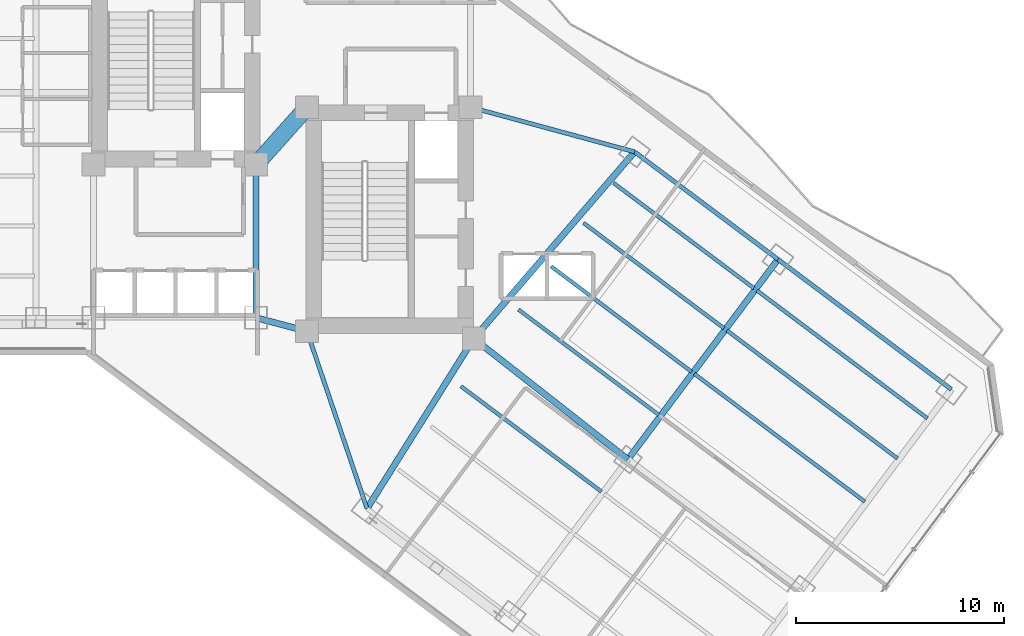
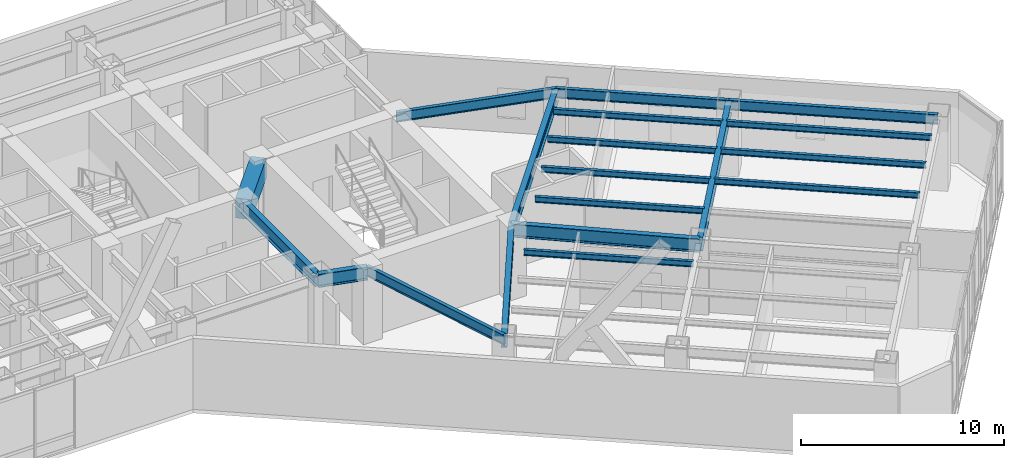
# One storey, part 9 of 29: 19 beams.
"""IFC4 building model written with IfcOpenShell, lengths in metres."""

import ifcopenshell
import ifcopenshell.guid

model = None  # the IFC model being written
_history = None  # IfcOwnerHistory: only IFC2X3 demands one
_inside = {}  # id of a spatial element -> (the spatial element, [elements in it])
_under = {}  # id of a project, library or spatial element -> (it, [spatial elements below it])
_declared = {}  # id of a project -> (the project, [libraries it declares])
_typed = {}  # id of a type object -> (the type object, [elements of that type])
_made_of = {}  # id of a material, layer set ... -> (it, [elements and type objects made of it])


def new_model(schema):
    """Start an empty IFC model of exactly this schema.

    Asked for "IFC4X3", IfcOpenShell would pick the latest addendum, in which some entities
    have other attributes; the version numbers below select the first issue.
    IFC2X3 requires an IfcOwnerHistory on every rooted entity: one is made here for all.
    """
    global model, _history
    if schema == "IFC4X3":
        model = ifcopenshell.file(schema_version=(4, 3, 0, 0))
    else:
        model = ifcopenshell.file(schema=schema)
    _inside.clear()
    _under.clear()
    _declared.clear()
    _typed.clear()
    _made_of.clear()
    _history = None
    if model.schema == "IFC2X3":
        org = make("IfcOrganization", Name="unknown")
        user = make(
            "IfcPersonAndOrganization",
            ThePerson=make("IfcPerson", FamilyName="unknown"),
            TheOrganization=org,
        )
        app = make(
            "IfcApplication",
            ApplicationDeveloper=org,
            Version="unknown",
            ApplicationFullName="unknown",
            ApplicationIdentifier="unknown",
        )
        _history = make(
            "IfcOwnerHistory",
            OwningUser=user,
            OwningApplication=app,
            ChangeAction="ADDED",
            CreationDate=0,
        )
    return model


def make(cls, **values):
    """One entity of the class cls with the attributes given. An attribute that is None is left unset."""
    return model.create_entity(
        cls, **{name: value for name, value in values.items() if value is not None}
    )


def rooted(cls, **values):
    """An entity with a GlobalId (a new one), such as an element, a storey or a relation."""
    return make(cls, GlobalId=ifcopenshell.guid.new(), OwnerHistory=_history, **values)


def si_unit(unit_type, name, prefix=None):
    """IfcSIUnit, for example si_unit("LENGTHUNIT", "METRE", prefix="MILLI")."""
    return make("IfcSIUnit", UnitType=unit_type, Prefix=prefix, Name=name)


def assignment(units):
    """IfcUnitAssignment: the units of a project."""
    return None if units is None else make("IfcUnitAssignment", Units=units)


def point(xyz):
    """IfcCartesianPoint."""
    return None if xyz is None else make("IfcCartesianPoint", Coordinates=xyz)


def direction(xyz):
    """IfcDirection."""
    return None if xyz is None else make("IfcDirection", DirectionRatios=xyz)


def frame(location, z_axis=None, x_axis=None):
    """IfcAxis2Placement3D, a coordinate frame: its origin and axes. An axis left out is left unset."""
    return make(
        "IfcAxis2Placement3D",
        Location=point(location),
        Axis=direction(z_axis),
        RefDirection=direction(x_axis),
    )


def frame_2d(location, x_axis=None):
    """IfcAxis2Placement2D, a coordinate frame in the plane: its origin and x axis."""
    return make(
        "IfcAxis2Placement2D", Location=point(location), RefDirection=direction(x_axis)
    )


def origin():
    """The frame at (0, 0, 0) with its axes left unset."""
    return frame((0.0, 0.0, 0.0))


def origin_2d():
    """The frame at (0, 0) in the plane with its x axis left unset."""
    return frame_2d((0.0, 0.0))


def place(relative_to, where):
    """IfcLocalPlacement: puts the frame where relative to a parent placement (None: the world)."""
    return make(
        "IfcLocalPlacement", PlacementRelTo=relative_to, RelativePlacement=where
    )


def context(
    kind, dimensions, precision=None, world=None, true_north=None, identifier=None
):
    """IfcGeometricRepresentationContext, for example the 3D "Model" context."""
    return make(
        "IfcGeometricRepresentationContext",
        ContextIdentifier=identifier,
        ContextType=kind,
        CoordinateSpaceDimension=dimensions,
        Precision=precision,
        WorldCoordinateSystem=world,
        TrueNorth=true_north,
    )


def subcontext(parent, identifier, kind, view, scale=None):
    """IfcGeometricRepresentationSubContext, for example "Body" below "Model"."""
    return make(
        "IfcGeometricRepresentationSubContext",
        ContextIdentifier=identifier,
        ContextType=kind,
        ParentContext=parent,
        TargetScale=scale,
        TargetView=view,
    )


def project(units=None, contexts=None):
    """IfcProject with its units and contexts."""
    return rooted(
        "IfcProject",
        Name="project",
        RepresentationContexts=contexts,
        UnitsInContext=assignment(units),
    )


def spatial(cls, under=None, at=None, **own):
    """A site, building, storey or space (cls), placed at a placement, below another one or the project."""
    s = rooted(cls, ObjectPlacement=at, **own)
    if under is not None:
        _under.setdefault(under.id(), (under, []))[1].append(s)
    return s


def profile(cls, at=None, kind="AREA", **sizes):
    """A parametric profile (cls). Its sizes go by their IFC names, for example OverallWidth=200.0."""
    return make(cls, ProfileType=kind, Position=at, **sizes)


def rectangle(**sizes):
    """IfcRectangleProfileDef."""
    return profile("IfcRectangleProfileDef", **sizes)


def i_section(**sizes):
    """IfcIShapeProfileDef."""
    return profile("IfcIShapeProfileDef", **sizes)


def extrude(swept, where, along, depth):
    """IfcExtrudedAreaSolid: the profile swept, set in the frame where, extruded along a direction by depth."""
    return make(
        "IfcExtrudedAreaSolid",
        SweptArea=swept,
        Position=where,
        ExtrudedDirection=direction(along),
        Depth=depth,
    )


def shape(context_of_items, identifier, shape_type, items):
    """IfcShapeRepresentation: the items that make up one representation, for example the "Body"."""
    return make(
        "IfcShapeRepresentation",
        ContextOfItems=context_of_items,
        RepresentationIdentifier=identifier,
        RepresentationType=shape_type,
        Items=items,
    )


def material(Name=None, Category=None):
    """IfcMaterial."""
    return make("IfcMaterial", Name=Name, Category=Category)


def material_profile(
    of_material, cross_section, Name=None, Category=None, Priority=None
):
    """IfcMaterialProfile: a cross section and its material."""
    return make(
        "IfcMaterialProfile",
        Name=Name,
        Material=of_material,
        Profile=cross_section,
        Priority=Priority,
        Category=Category,
    )


def profile_set(profiles, Name=None, composite=None):
    """IfcMaterialProfileSet."""
    return make(
        "IfcMaterialProfileSet",
        Name=Name,
        MaterialProfiles=profiles,
        CompositeProfile=composite,
    )


def made_of(thing, what):
    """Note that an element or type object is made of a material, layer set ...; save() writes the relation."""
    if what is not None:
        _made_of.setdefault(what.id(), (what, []))[1].append(thing)
    return thing


def type_object(cls, material=None, **own):
    """A type object (cls), such as IfcWallType, which elements share."""
    return made_of(rooted(cls, **own), material)


def element(
    cls,
    number,
    at=None,
    inside=None,
    cuts=None,
    type_object=None,
    material=None,
    context=None,
    identifier="Body",
    shape_type=None,
    held_by="IfcProductDefinitionShape",
    body=None,
    shapes=None,
    **own,
):
    """One element of the class cls, such as IfcWall. Its Tag is "e" and its number.

    at: its placement. inside: the storey or other place that contains it. cuts: it is an
    opening in that element (IfcRelVoidsElement). A single representation is given by context,
    identifier, shape_type and body (its items); several are given by shapes. held_by: the class
    of the entity that holds the representations. save() writes the other relations.
    """
    e = rooted(cls, Tag="e%d" % number, ObjectPlacement=at, **own)
    if body is not None:
        shapes = [shape(context, identifier, shape_type, body)]
    if shapes is not None:
        e.Representation = make(held_by, Representations=shapes)
    if inside is not None:
        _inside.setdefault(inside.id(), (inside, []))[1].append(e)
    if cuts is not None:
        rooted(
            "IfcRelVoidsElement", RelatingBuildingElement=cuts, RelatedOpeningElement=e
        )
    if type_object is not None:
        _typed.setdefault(type_object.id(), (type_object, []))[1].append(e)
    return made_of(e, material)


def aggregate(whole, parts):
    """IfcRelAggregates: a whole, such as a stair, and the parts it consists of."""
    return rooted("IfcRelAggregates", RelatingObject=whole, RelatedObjects=parts)


def save(model, path):
    """Write the relations noted so far, then the file.

    IfcRelAggregates (storeys below a building ...), IfcRelContainedInSpatialStructure (elements
    in a storey), IfcRelDefinesByType, IfcRelAssociatesMaterial and IfcRelDeclares: one each for
    every whole, place, type object, material and project.
    """
    for whole, parts in _under.values():
        aggregate(whole, parts)
    for where, things in _inside.values():
        rooted(
            "IfcRelContainedInSpatialStructure",
            RelatedElements=things,
            RelatingStructure=where,
        )
    for kind, things in _typed.values():
        rooted("IfcRelDefinesByType", RelatedObjects=things, RelatingType=kind)
    for what, things in _made_of.values():
        rooted("IfcRelAssociatesMaterial", RelatedObjects=things, RelatingMaterial=what)
    for by, libraries in _declared.values():
        rooted("IfcRelDeclares", RelatingContext=by, RelatedDefinitions=libraries)
    model.write(path)


model = new_model("IFC4")

# Units and contexts
model_context = context("Model", 3, precision=1e-05, world=origin(), true_north=direction((0.0, 1.0)))
body_context = subcontext(model_context, "Body", "Model", "MODEL_VIEW")
ifc_project = project(units=[si_unit("LENGTHUNIT", "METRE"), si_unit("AREAUNIT", "SQUARE_METRE"), si_unit("VOLUMEUNIT", "CUBIC_METRE"), si_unit("PLANEANGLEUNIT", "RADIAN"), si_unit("MASSUNIT", "GRAM", prefix="KILO")], contexts=[model_context])

# Site, building, storey
site_placement = place(None, origin())
site = spatial("IfcSite", under=ifc_project, at=site_placement, CompositionType="ELEMENT")
building_placement = place(site_placement, origin())
building = spatial("IfcBuilding", under=site, at=building_placement, Name="Hatsunagi Terrace Concourse", CompositionType="ELEMENT")
storey_placement = place(building_placement, frame((0.0, 0.0, 32.10009765625)))
storey = spatial("IfcBuildingStorey", under=building, at=storey_placement, Name="L07", CompositionType="ELEMENT", Elevation=32.10009765625)

# Beams
ifc_material_1 = material(Name="Concrete Fc60", Category="concrete")
ifc_material_profile_1 = material_profile(ifc_material_1, rectangle(XDim=0.800048828125, YDim=1.199951171875, at=origin_2d()), Name="RC-800x1200")
ifc_profile_set_1 = profile_set([ifc_material_profile_1], Name="Concrete Fc60")
beam_type_1 = type_object("IfcBeamType", Name="CoreCouplingBeam_RC_800x1200", PredefinedType="BEAM", material=ifc_profile_set_1)
beam_1_placement = place(storey_placement, frame((33.35009765625, 32.550048828125, 3.679931640625), z_axis=(0.665198651008, 0.746666427997, 0.0), x_axis=(-0.746666427997, 0.665198651008, 0.0)))
element("IfcBeam", 1, at=beam_1_placement, inside=storey, type_object=beam_type_1, Name="Beam CB-01 CB-L07-1", PredefinedType="BEAM", context=body_context, shape_type="SweptSolid", body=[
    extrude(rectangle(XDim=0.800048828125, YDim=1.199951171875, at=origin_2d()), origin(), (0.0, 0.0, 1.0), 3.68310546875),
])
ifc_material_2 = material(Name="Steel SN490B", Category="steel")
ifc_material_profile_2 = material_profile(ifc_material_2, i_section(OverallWidth=0.175048828125, OverallDepth=0.35009765625, WebThickness=0.007080078125, FlangeThickness=0.010986328125, FilletRadius=0.012939453125, at=origin_2d()), Name="H-350x175x7x11")
ifc_profile_set_2 = profile_set([ifc_material_profile_2], Name="Steel SN490B")
beam_type_2 = type_object("IfcBeamType", Name="HotelJoist_H_350x175", PredefinedType="JOIST", material=ifc_profile_set_2)
for number, where, z_axis, x_axis, name in (
    (2, (43.18798828125, 21.908935546875, 4.10498046875), (0.800003475366, -0.59999536615, 0.0), (0.59999536615, 0.800003475366, 0.0), "Beam J-02 J-L07-SE-2-96"),
    (3, (45.947998046875, 25.589111328125, 4.10498046875), (0.799989573921, -0.600013901187, 0.0), (0.600013901187, 0.799989573921, 0.0), "Beam J-02 J-L07-SE-2-142"),
    (4, (47.508056640625, 27.6689453125, 4.10498046875), (0.800003475366, -0.59999536615, 0.0), (0.59999536615, 0.800003475366, 0.0), "Beam J-02 J-L07-SE-2-168"),
    (5, (49.068115234375, 29.7490234375, 4.10498046875), (0.799989573921, -0.600013901187, 0.0), (0.600013901187, 0.799989573921, 0.0), "Beam J-02 J-L07-SE-2-194"),
    (6, (50.508056640625, 31.6689453125, 4.10498046875), (0.800003475366, -0.59999536615, 0.0), (0.59999536615, 0.800003475366, 0.0), "Beam J-02 J-L07-SE-2-218"),
):
    element("IfcBeam", number, at=place(storey_placement, frame(where, z_axis=z_axis, x_axis=x_axis)), inside=storey, type_object=beam_type_2, Name=name, PredefinedType="JOIST", context=body_context, shape_type="SweptSolid", body=[
        extrude(i_section(OverallWidth=0.175048828125, OverallDepth=0.35009765625, WebThickness=0.007080078125, FlangeThickness=0.010986328125, FilletRadius=0.012939453125, at=origin_2d()), origin(), (0.0, 0.0, 1.0), 8.429931640625),
    ])
beam_2_placement = place(storey_placement, frame((54.387939453125, 22.509033203125, 4.10498046875), z_axis=(0.800005727586, -0.599992363142, 0.0), x_axis=(0.599992363142, 0.800005727586, 0.0)))
element("IfcBeam", 7, at=beam_2_placement, inside=storey, type_object=beam_type_2, Name="Beam J-02 J-L07-SE-3-168", PredefinedType="JOIST", context=body_context, shape_type="SweptSolid", body=[
    extrude(i_section(OverallWidth=0.175048828125, OverallDepth=0.35009765625, WebThickness=0.007080078125, FlangeThickness=0.010986328125, FilletRadius=0.012939453125, at=origin_2d()), origin(), (0.0, 0.0, 1.0), 10.22998046875),
])
beam_3_placement = place(storey_placement, frame((55.947998046875, 24.589111328125, 4.10498046875), z_axis=(0.799994272423, -0.600007636694, 0.0), x_axis=(0.600007636694, 0.799994272423, 0.0)))
element("IfcBeam", 8, at=beam_3_placement, inside=storey, type_object=beam_type_2, Name="Beam J-02 J-L07-SE-3-194", PredefinedType="JOIST", context=body_context, shape_type="SweptSolid", body=[
    extrude(i_section(OverallWidth=0.175048828125, OverallDepth=0.35009765625, WebThickness=0.007080078125, FlangeThickness=0.010986328125, FilletRadius=0.012939453125, at=origin_2d()), origin(), (0.0, 0.0, 1.0), 10.230224609375),
])
beam_4_placement = place(storey_placement, frame((57.387939453125, 26.509033203125, 4.10498046875), z_axis=(0.800005727586, -0.599992363142, 0.0), x_axis=(0.599992363142, 0.800005727586, 0.0)))
element("IfcBeam", 9, at=beam_4_placement, inside=storey, type_object=beam_type_2, Name="Beam J-02 J-L07-SE-3-218", PredefinedType="JOIST", context=body_context, shape_type="SweptSolid", body=[
    extrude(i_section(OverallWidth=0.175048828125, OverallDepth=0.35009765625, WebThickness=0.007080078125, FlangeThickness=0.010986328125, FilletRadius=0.012939453125, at=origin_2d()), origin(), (0.0, 0.0, 1.0), 10.22998046875),
])
ifc_material_3 = material(Name="Steel SN490B", Category="steel")
ifc_material_profile_3 = material_profile(ifc_material_3, i_section(OverallWidth=0.199951171875, OverallDepth=0.60009765625, WebThickness=0.010986328125, FlangeThickness=0.01708984375, FilletRadius=0.01806640625, at=origin_2d()), Name="H-600x200x11x17")
ifc_profile_set_3 = profile_set([ifc_material_profile_3], Name="Steel SN490B")
beam_type_3 = type_object("IfcBeamType", Name="PerimeterSpandrel_H_600x200", PredefinedType="SPANDREL", material=ifc_profile_set_3)
beam_5_placement = place(storey_placement, frame((35.800048828125, 24.550048828125, 3.97998046875), z_axis=(0.320553412271, -0.947230441805, 0.0), x_axis=(0.947230441805, 0.320553412271, 0.0)))
element("IfcBeam", 10, at=beam_5_placement, inside=storey, type_object=beam_type_3, Name="Beam SP-01 BM-L07-SE-SW0", PredefinedType="SPANDREL", context=body_context, shape_type="SweptSolid", body=[
    extrude(i_section(OverallWidth=0.199951171875, OverallDepth=0.60009765625, WebThickness=0.010986328125, FlangeThickness=0.01708984375, FilletRadius=0.01806640625, at=origin_2d()), origin(), (0.0, 0.0, 1.0), 8.984130859375),
])
beam_6_placement = place(storey_placement, frame((43.64990234375, 35.300048828125, 3.97998046875), z_axis=(0.964958359286, -0.262403057994, 0.0), x_axis=(0.262403057994, 0.964958359286, 0.0)))
element("IfcBeam", 11, at=beam_6_placement, inside=storey, type_object=beam_type_3, Name="Beam SP-01 BM-L07-SE-NE0", PredefinedType="SPANDREL", context=body_context, shape_type="SweptSolid", body=[
    extrude(i_section(OverallWidth=0.199951171875, OverallDepth=0.60009765625, WebThickness=0.010986328125, FlangeThickness=0.01708984375, FilletRadius=0.01806640625, at=origin_2d()), origin(), (0.0, 0.0, 1.0), 8.156005859375),
])
beam_7_placement = place(storey_placement, frame((51.52001953125, 33.159912109375, 3.97998046875), z_axis=(0.8, -0.6, 0.0), x_axis=(0.6, 0.8, 0.0)))
element("IfcBeam", 12, at=beam_7_placement, inside=storey, type_object=beam_type_3, Name="Beam SP-01 BM-L07-SE-NE2", PredefinedType="SPANDREL", context=body_context, shape_type="SweptSolid", body=[
    extrude(i_section(OverallWidth=0.199951171875, OverallDepth=0.60009765625, WebThickness=0.010986328125, FlangeThickness=0.01708984375, FilletRadius=0.01806640625, at=origin_2d()), origin(), (0.0, 0.0, 1.0), 8.599853515625),
])
beam_8_placement = place(storey_placement, frame((58.39990234375, 28.0, 3.97998046875), z_axis=(0.800002816985, -0.599996244001, 0.0), x_axis=(0.599996244001, 0.800002816985, 0.0)))
element("IfcBeam", 13, at=beam_8_placement, inside=storey, type_object=beam_type_3, Name="Beam SP-01 BM-L07-SE-NE3", PredefinedType="SPANDREL", context=body_context, shape_type="SweptSolid", body=[
    extrude(i_section(OverallWidth=0.199951171875, OverallDepth=0.60009765625, WebThickness=0.010986328125, FlangeThickness=0.01708984375, FilletRadius=0.01806640625, at=origin_2d()), origin(), (0.0, 0.0, 1.0), 10.400146484375),
])
ifc_material_4 = material(Name="Steel SN490B", Category="steel")
ifc_material_profile_4 = material_profile(ifc_material_4, i_section(OverallWidth=0.300048828125, OverallDepth=0.800048828125, WebThickness=0.013916015625, FlangeThickness=0.02587890625, FilletRadius=0.02197265625, at=origin_2d()), Name="H-800x300x14x26")
ifc_profile_set_4 = profile_set([ifc_material_profile_4], Name="Steel SN490B")
beam_type_4 = type_object("IfcBeamType", Name="SkyLobbyGirder_H_800x300", PredefinedType="BEAM", material=ifc_profile_set_4)
beam_9_placement = place(storey_placement, frame((33.35009765625, 25.199951171875, 3.8798828125), z_axis=(0.0, 1.0, 0.0), x_axis=(-1.0, 0.0, 0.0)))
element("IfcBeam", 14, at=beam_9_placement, inside=storey, type_object=beam_type_4, Name="Beam G-03 BM-L07-K2CA", PredefinedType="BEAM", context=body_context, shape_type="SweptSolid", body=[
    extrude(i_section(OverallWidth=0.300048828125, OverallDepth=0.800048828125, WebThickness=0.013916015625, FlangeThickness=0.02587890625, FilletRadius=0.02197265625, at=origin_2d()), origin(), (0.0, 0.0, 1.0), 7.35009765625),
])
beam_10_placement = place(storey_placement, frame((33.35009765625, 25.199951171875, 3.8798828125), z_axis=(0.966569840116, -0.256403479262, 0.0), x_axis=(0.256403479262, 0.966569840116, 0.0)))
element("IfcBeam", 15, at=beam_10_placement, inside=storey, type_object=beam_type_4, Name="Beam G-03 BM-L07-K2CB", PredefinedType="BEAM", context=body_context, shape_type="SweptSolid", body=[
    extrude(i_section(OverallWidth=0.300048828125, OverallDepth=0.800048828125, WebThickness=0.013916015625, FlangeThickness=0.02587890625, FilletRadius=0.02197265625, at=origin_2d()), origin(), (0.0, 0.0, 1.0), 2.53466796875),
])
beam_11_placement = place(storey_placement, frame((38.679931640625, 16.0400390625, 3.8798828125), z_axis=(0.531503907049, 0.847055840421, 0.0), x_axis=(-0.847055840421, 0.531503907049, 0.0)))
element("IfcBeam", 16, at=beam_11_placement, inside=storey, type_object=beam_type_4, Name="Beam G-03 BM-L07-SET-1A", PredefinedType="BEAM", context=body_context, shape_type="SweptSolid", body=[
    extrude(i_section(OverallWidth=0.300048828125, OverallDepth=0.800048828125, WebThickness=0.013916015625, FlangeThickness=0.02587890625, FilletRadius=0.02197265625, at=origin_2d()), origin(), (0.0, 0.0, 1.0), 9.63330078125),
])
beam_12_placement = place(storey_placement, frame((43.800048828125, 24.199951171875, 3.8798828125), z_axis=(0.652739101421, 0.757582777969, 0.0), x_axis=(-0.757582777969, 0.652739101421, 0.0)))
element("IfcBeam", 17, at=beam_12_placement, inside=storey, type_object=beam_type_4, Name="Beam G-03 BM-L07-SET-1B", PredefinedType="BEAM", context=body_context, shape_type="SweptSolid", body=[
    extrude(i_section(OverallWidth=0.300048828125, OverallDepth=0.800048828125, WebThickness=0.013916015625, FlangeThickness=0.02587890625, FilletRadius=0.02197265625, at=origin_2d()), origin(), (0.0, 0.0, 1.0), 11.8271484375),
])
beam_13_placement = place(storey_placement, frame((43.800048828125, 24.199951171875, 3.8798828125), z_axis=(0.787049441068, -0.616889923175, 0.0), x_axis=(0.616889923175, 0.787049441068, 0.0)))
element("IfcBeam", 18, at=beam_13_placement, inside=storey, type_object=beam_type_4, Name="Beam G-03 BM-L07-SE-M2", PredefinedType="BEAM", context=body_context, shape_type="SweptSolid", body=[
    extrude(i_section(OverallWidth=0.300048828125, OverallDepth=0.800048828125, WebThickness=0.013916015625, FlangeThickness=0.02587890625, FilletRadius=0.02197265625, at=origin_2d()), origin(), (0.0, 0.0, 1.0), 9.402099609375),
])
beam_14_placement = place(storey_placement, frame((51.199951171875, 18.39990234375, 3.8798828125), z_axis=(0.59999348959, 0.800004882766, 0.0), x_axis=(-0.800004882766, 0.59999348959, 0.0)))
element("IfcBeam", 19, at=beam_14_placement, inside=storey, type_object=beam_type_4, Name="Beam G-03 BM-L07-SET-2B", PredefinedType="BEAM", context=body_context, shape_type="SweptSolid", body=[
    extrude(i_section(OverallWidth=0.300048828125, OverallDepth=0.800048828125, WebThickness=0.013916015625, FlangeThickness=0.02587890625, FilletRadius=0.02197265625, at=origin_2d()), origin(), (0.0, 0.0, 1.0), 12.0),
])

save(model, "model.ifc")
